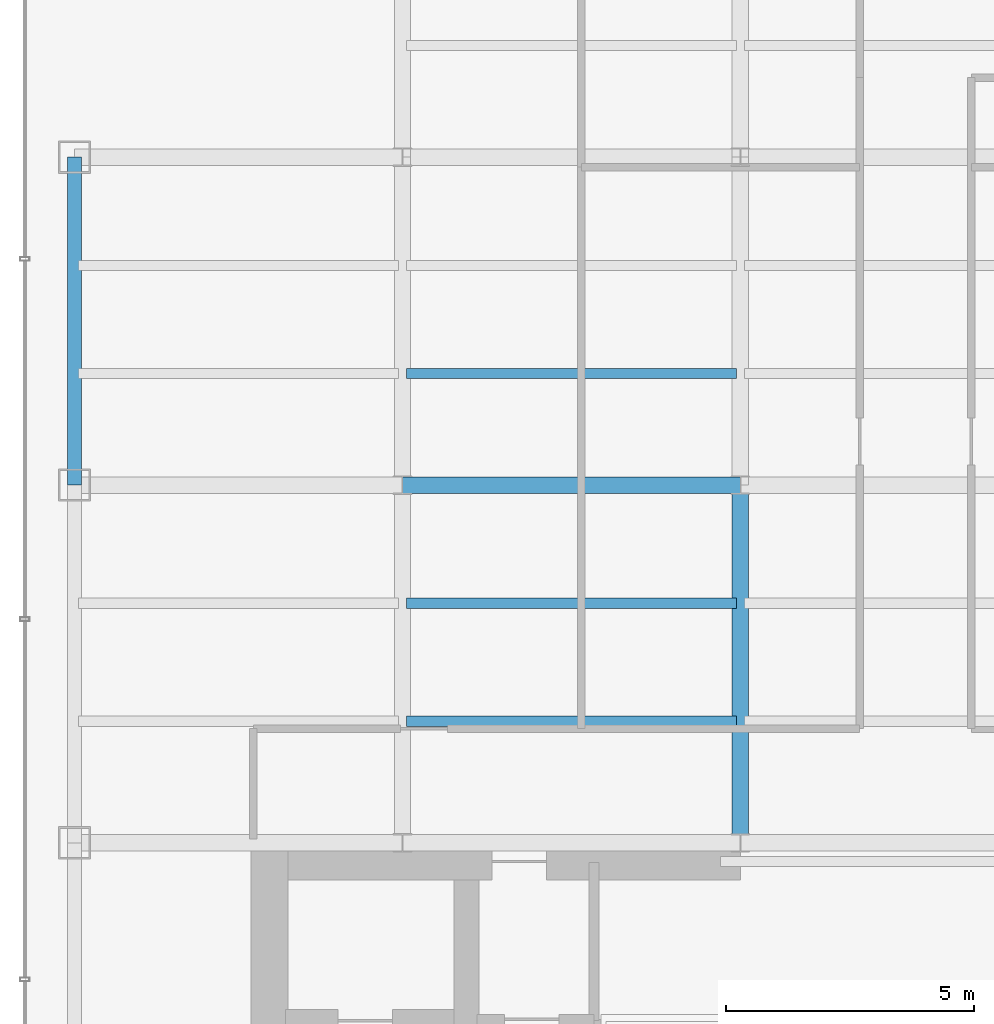
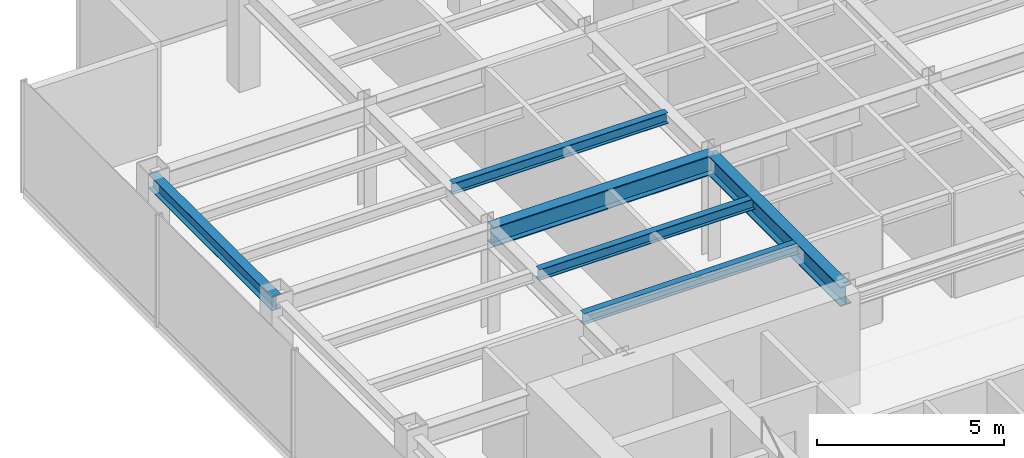
# One storey, part 6 of 25: 6 beams.
"""IFC4 building model written with IfcOpenShell, lengths in metres."""

from ifc_helpers import new_model, si_unit, derived_unit, direction, frame, origin, origin_2d, place, context, subcontext, project, spatial, i_section, extrude, source, transform, mapped, material, material_profile, profile_set, type_object, element, save


model = new_model("IFC4")

# Units and contexts
model_context = context("Model", 3, precision=1e-05, world=origin(), true_north=direction((0.0, 1.0)))
body_context = subcontext(model_context, "Body", "Model", "MODEL_VIEW")
ifc_project = project(units=[si_unit("LENGTHUNIT", "METRE"), si_unit("AREAUNIT", "SQUARE_METRE"), si_unit("VOLUMEUNIT", "CUBIC_METRE"), si_unit("PLANEANGLEUNIT", "RADIAN"), si_unit("MASSUNIT", "GRAM", prefix="KILO"), derived_unit("THERMALTRANSMITTANCEUNIT", [(si_unit("POWERUNIT", "WATT"), 1), (si_unit("LENGTHUNIT", "METRE"), -2), (si_unit("THERMODYNAMICTEMPERATUREUNIT", "KELVIN"), -1)])], contexts=[model_context])

# Site, building, storey
site_placement = place(None, origin())
site = spatial("IfcSite", under=ifc_project, at=site_placement, CompositionType="ELEMENT")
building_placement = place(site_placement, origin())
building = spatial("IfcBuilding", under=site, at=building_placement, Name="Skarnbrae Concourse Arena and Tower", CompositionType="ELEMENT")
storey_placement = place(building_placement, frame((0.0, 0.0, 158.85009765625)))
storey = spatial("IfcBuildingStorey", under=building, at=storey_placement, Name="L40", CompositionType="ELEMENT", Elevation=158.85009765625)

# Beams
ifc_material = material(Name="Steel CSA G40.21 350W", Category="steel")
ifc_material_profile_1 = material_profile(ifc_material, i_section(OverallWidth=0.3291015625, OverallDepth=0.635009765625, WebThickness=0.017822265625, FlangeThickness=0.031005859375, at=origin_2d()), Name="W610X241")
ifc_profile_set_1 = profile_set([ifc_material_profile_1], Name="Steel CSA G40.21 350W")
beam_type_1 = type_object("IfcBeamType", Name="BM-GIRD-W610X241", PredefinedType="BEAM", material=ifc_profile_set_1)
shared_shape_1 = source(origin(), body_context, "Body", "SweptSolid", [
    extrude(i_section(OverallWidth=0.3291015625, OverallDepth=0.635009765625, WebThickness=0.017822265625, FlangeThickness=0.031005859375, at=origin_2d()), origin(), (0.0, 0.0, 1.0), 6.7998046875),
])
beam_1_placement = place(storey_placement, frame((7.60009765625, 21.199951171875, 3.08251953125), z_axis=(1.0, 0.0, 0.0), x_axis=(0.0, 1.0, 0.0)))
element("IfcBeam", 1, at=beam_1_placement, inside=storey, type_object=beam_type_1, Name="L40 Primary E-W girder Y21.2-2", PredefinedType="BEAM", context=body_context, shape_type="MappedRepresentation", body=[
    mapped(shared_shape_1, transform((0.0, 0.0, 0.0))),
])
ifc_material_profile_2 = material_profile(ifc_material, i_section(OverallWidth=0.280029296875, OverallDepth=0.462890625, WebThickness=0.0107421875, FlangeThickness=0.017333984375, at=origin_2d()), Name="W460X113")
ifc_profile_set_2 = profile_set([ifc_material_profile_2], Name="Steel CSA G40.21 350W")
beam_type_2 = type_object("IfcBeamType", Name="BM-SPAN-W460X113", PredefinedType="SPANDREL", material=ifc_profile_set_2)
shared_shape_2 = source(origin(), body_context, "Body", "SweptSolid", [
    extrude(i_section(OverallWidth=0.280029296875, OverallDepth=0.462890625, WebThickness=0.0107421875, FlangeThickness=0.017333984375, at=origin_2d()), origin(), (0.0, 0.0, 1.0), 6.60009765625),
])
beam_2_placement = place(storey_placement, frame((1.0, 21.199951171875, 3.16845703125), z_axis=(0.0, 1.0, 0.0), x_axis=(-1.0, 0.0, 0.0)))
element("IfcBeam", 2, at=beam_2_placement, inside=storey, type_object=beam_type_2, Name="L40 Perimeter spandrel X1.0-3", PredefinedType="SPANDREL", context=body_context, shape_type="MappedRepresentation", body=[
    mapped(shared_shape_2, transform((0.0, 0.0, 0.0))),
])
shared_shape_3 = source(origin(), body_context, "Body", "SweptSolid", [
    extrude(i_section(OverallWidth=0.3291015625, OverallDepth=0.635009765625, WebThickness=0.017822265625, FlangeThickness=0.031005859375, at=origin_2d()), origin(), (0.0, 0.0, 1.0), 7.199951171875),
])
beam_3_placement = place(storey_placement, frame((14.39990234375, 14.0, 3.08251953125), z_axis=(0.0, 1.0, 0.0), x_axis=(-1.0, 0.0, 0.0)))
element("IfcBeam", 3, at=beam_3_placement, inside=storey, type_object=beam_type_1, Name="L40 Primary N-S girder X14.4-1", PredefinedType="BEAM", context=body_context, shape_type="MappedRepresentation", body=[
    mapped(shared_shape_3, transform((0.0, 0.0, 0.0))),
])
ifc_material_profile_3 = material_profile(ifc_material, i_section(OverallWidth=0.205078125, OverallDepth=0.35400390625, WebThickness=0.009521484375, FlangeThickness=0.016845703125, at=origin_2d()), Name="W360X79")
ifc_profile_set_3 = profile_set([ifc_material_profile_3], Name="Steel CSA G40.21 350W")
beam_type_3 = type_object("IfcBeamType", Name="BM-JOIST-W360X79", PredefinedType="JOIST", material=ifc_profile_set_3)
shared_shape_4 = source(origin(), body_context, "Body", "SweptSolid", [
    extrude(i_section(OverallWidth=0.205078125, OverallDepth=0.35400390625, WebThickness=0.009521484375, FlangeThickness=0.016845703125, at=origin_2d()), origin(), (0.0, 0.0, 1.0), 6.64013671875),
])
for number, where, z_axis, x_axis, name in (
    (4, (7.679931640625, 16.447998046875, 3.222900390625), (1.0, 0.0, 0.0), (0.0, 1.0, 0.0), "L40 Secondary floor joist 1.1.2"),
    (5, (7.679931640625, 18.823974609375, 3.222900390625), (1.0, 0.0, 0.0), (0.0, 1.0, 0.0), "L40 Secondary floor joist 1.2.2"),
    (6, (7.679931640625, 23.444091796875, 3.222900390625), (1.0, 0.0, 0.0), (0.0, 1.0, 0.0), "L40 Secondary floor joist 2.1.2"),
):
    element("IfcBeam", number, at=place(storey_placement, frame(where, z_axis=z_axis, x_axis=x_axis)), inside=storey, type_object=beam_type_3, Name=name, PredefinedType="JOIST", context=body_context, shape_type="MappedRepresentation", body=[
        mapped(shared_shape_4, transform((0.0, 0.0, 0.0))),
    ])

save(model, "model.ifc")
